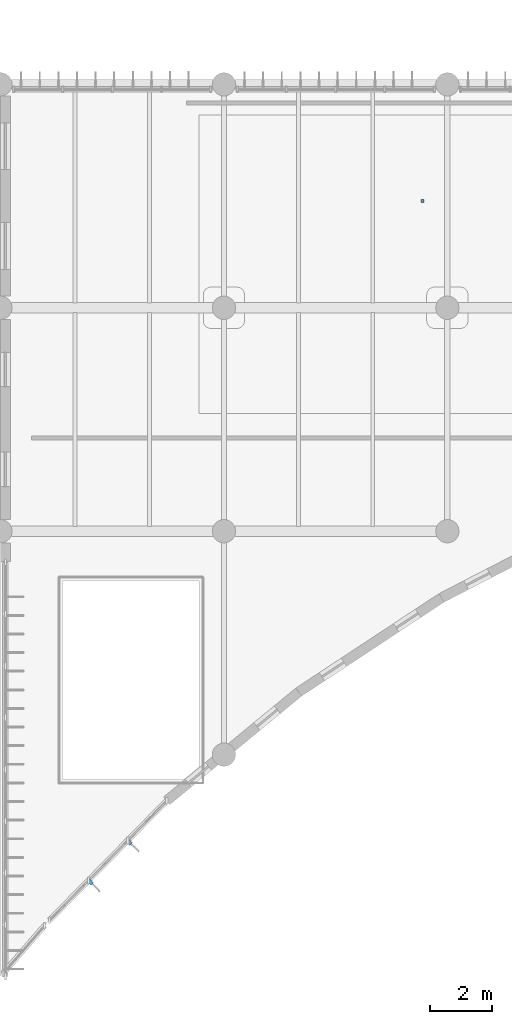
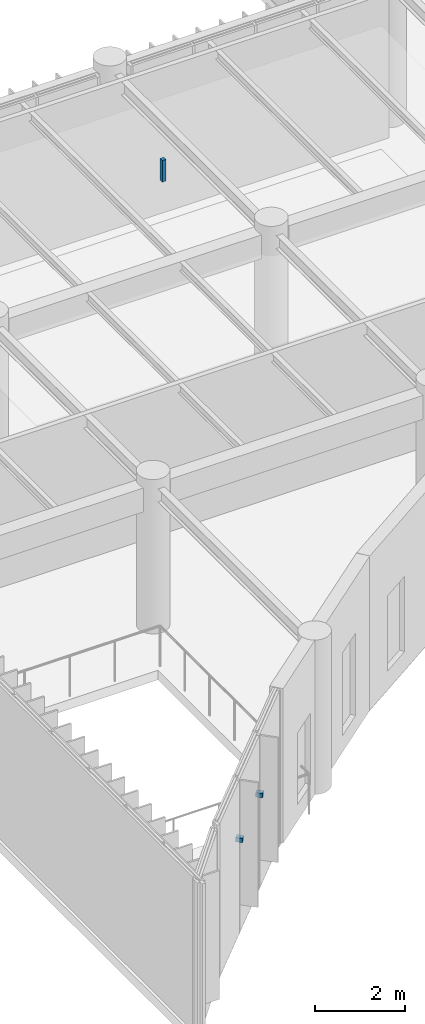
# One storey, part 50 of 122: 3 discrete accessories.
"""IFC4 building model written with IfcOpenShell, lengths in metres."""

import ifcopenshell
import ifcopenshell.guid

model = None  # the IFC model being written
_history = None  # IfcOwnerHistory: only IFC2X3 demands one
_inside = {}  # id of a spatial element -> (the spatial element, [elements in it])
_under = {}  # id of a project, library or spatial element -> (it, [spatial elements below it])
_declared = {}  # id of a project -> (the project, [libraries it declares])
_typed = {}  # id of a type object -> (the type object, [elements of that type])
_made_of = {}  # id of a material, layer set ... -> (it, [elements and type objects made of it])


def new_model(schema):
    """Start an empty IFC model of exactly this schema.

    Asked for "IFC4X3", IfcOpenShell would pick the latest addendum, in which some entities
    have other attributes; the version numbers below select the first issue.
    IFC2X3 requires an IfcOwnerHistory on every rooted entity: one is made here for all.
    """
    global model, _history
    if schema == "IFC4X3":
        model = ifcopenshell.file(schema_version=(4, 3, 0, 0))
    else:
        model = ifcopenshell.file(schema=schema)
    _inside.clear()
    _under.clear()
    _declared.clear()
    _typed.clear()
    _made_of.clear()
    _history = None
    if model.schema == "IFC2X3":
        org = make("IfcOrganization", Name="unknown")
        user = make(
            "IfcPersonAndOrganization",
            ThePerson=make("IfcPerson", FamilyName="unknown"),
            TheOrganization=org,
        )
        app = make(
            "IfcApplication",
            ApplicationDeveloper=org,
            Version="unknown",
            ApplicationFullName="unknown",
            ApplicationIdentifier="unknown",
        )
        _history = make(
            "IfcOwnerHistory",
            OwningUser=user,
            OwningApplication=app,
            ChangeAction="ADDED",
            CreationDate=0,
        )
    return model


def make(cls, **values):
    """One entity of the class cls with the attributes given. An attribute that is None is left unset."""
    return model.create_entity(
        cls, **{name: value for name, value in values.items() if value is not None}
    )


def rooted(cls, **values):
    """An entity with a GlobalId (a new one), such as an element, a storey or a relation."""
    return make(cls, GlobalId=ifcopenshell.guid.new(), OwnerHistory=_history, **values)


def si_unit(unit_type, name, prefix=None):
    """IfcSIUnit, for example si_unit("LENGTHUNIT", "METRE", prefix="MILLI")."""
    return make("IfcSIUnit", UnitType=unit_type, Prefix=prefix, Name=name)


def assignment(units):
    """IfcUnitAssignment: the units of a project."""
    return None if units is None else make("IfcUnitAssignment", Units=units)


def point(xyz):
    """IfcCartesianPoint."""
    return None if xyz is None else make("IfcCartesianPoint", Coordinates=xyz)


def direction(xyz):
    """IfcDirection."""
    return None if xyz is None else make("IfcDirection", DirectionRatios=xyz)


def frame(location, z_axis=None, x_axis=None):
    """IfcAxis2Placement3D, a coordinate frame: its origin and axes. An axis left out is left unset."""
    return make(
        "IfcAxis2Placement3D",
        Location=point(location),
        Axis=direction(z_axis),
        RefDirection=direction(x_axis),
    )


def frame_2d(location, x_axis=None):
    """IfcAxis2Placement2D, a coordinate frame in the plane: its origin and x axis."""
    return make(
        "IfcAxis2Placement2D", Location=point(location), RefDirection=direction(x_axis)
    )


def origin():
    """The frame at (0, 0, 0) with its axes left unset."""
    return frame((0.0, 0.0, 0.0))


def origin_2d():
    """The frame at (0, 0) in the plane with its x axis left unset."""
    return frame_2d((0.0, 0.0))


def place(relative_to, where):
    """IfcLocalPlacement: puts the frame where relative to a parent placement (None: the world)."""
    return make(
        "IfcLocalPlacement", PlacementRelTo=relative_to, RelativePlacement=where
    )


def context(
    kind, dimensions, precision=None, world=None, true_north=None, identifier=None
):
    """IfcGeometricRepresentationContext, for example the 3D "Model" context."""
    return make(
        "IfcGeometricRepresentationContext",
        ContextIdentifier=identifier,
        ContextType=kind,
        CoordinateSpaceDimension=dimensions,
        Precision=precision,
        WorldCoordinateSystem=world,
        TrueNorth=true_north,
    )


def subcontext(parent, identifier, kind, view, scale=None):
    """IfcGeometricRepresentationSubContext, for example "Body" below "Model"."""
    return make(
        "IfcGeometricRepresentationSubContext",
        ContextIdentifier=identifier,
        ContextType=kind,
        ParentContext=parent,
        TargetScale=scale,
        TargetView=view,
    )


def project(units=None, contexts=None):
    """IfcProject with its units and contexts."""
    return rooted(
        "IfcProject",
        Name="project",
        RepresentationContexts=contexts,
        UnitsInContext=assignment(units),
    )


def spatial(cls, under=None, at=None, **own):
    """A site, building, storey or space (cls), placed at a placement, below another one or the project."""
    s = rooted(cls, ObjectPlacement=at, **own)
    if under is not None:
        _under.setdefault(under.id(), (under, []))[1].append(s)
    return s


def profile(cls, at=None, kind="AREA", **sizes):
    """A parametric profile (cls). Its sizes go by their IFC names, for example OverallWidth=200.0."""
    return make(cls, ProfileType=kind, Position=at, **sizes)


def rectangle(**sizes):
    """IfcRectangleProfileDef."""
    return profile("IfcRectangleProfileDef", **sizes)


def extrude(swept, where, along, depth):
    """IfcExtrudedAreaSolid: the profile swept, set in the frame where, extruded along a direction by depth."""
    return make(
        "IfcExtrudedAreaSolid",
        SweptArea=swept,
        Position=where,
        ExtrudedDirection=direction(along),
        Depth=depth,
    )


def shape(context_of_items, identifier, shape_type, items):
    """IfcShapeRepresentation: the items that make up one representation, for example the "Body"."""
    return make(
        "IfcShapeRepresentation",
        ContextOfItems=context_of_items,
        RepresentationIdentifier=identifier,
        RepresentationType=shape_type,
        Items=items,
    )


def material(Name=None, Category=None):
    """IfcMaterial."""
    return make("IfcMaterial", Name=Name, Category=Category)


def made_of(thing, what):
    """Note that an element or type object is made of a material, layer set ...; save() writes the relation."""
    if what is not None:
        _made_of.setdefault(what.id(), (what, []))[1].append(thing)
    return thing


def type_object(cls, material=None, **own):
    """A type object (cls), such as IfcWallType, which elements share."""
    return made_of(rooted(cls, **own), material)


def element(
    cls,
    number,
    at=None,
    inside=None,
    cuts=None,
    type_object=None,
    material=None,
    context=None,
    identifier="Body",
    shape_type=None,
    held_by="IfcProductDefinitionShape",
    body=None,
    shapes=None,
    **own,
):
    """One element of the class cls, such as IfcWall. Its Tag is "e" and its number.

    at: its placement. inside: the storey or other place that contains it. cuts: it is an
    opening in that element (IfcRelVoidsElement). A single representation is given by context,
    identifier, shape_type and body (its items); several are given by shapes. held_by: the class
    of the entity that holds the representations. save() writes the other relations.
    """
    e = rooted(cls, Tag="e%d" % number, ObjectPlacement=at, **own)
    if body is not None:
        shapes = [shape(context, identifier, shape_type, body)]
    if shapes is not None:
        e.Representation = make(held_by, Representations=shapes)
    if inside is not None:
        _inside.setdefault(inside.id(), (inside, []))[1].append(e)
    if cuts is not None:
        rooted(
            "IfcRelVoidsElement", RelatingBuildingElement=cuts, RelatedOpeningElement=e
        )
    if type_object is not None:
        _typed.setdefault(type_object.id(), (type_object, []))[1].append(e)
    return made_of(e, material)


def aggregate(whole, parts):
    """IfcRelAggregates: a whole, such as a stair, and the parts it consists of."""
    return rooted("IfcRelAggregates", RelatingObject=whole, RelatedObjects=parts)


def save(model, path):
    """Write the relations noted so far, then the file.

    IfcRelAggregates (storeys below a building ...), IfcRelContainedInSpatialStructure (elements
    in a storey), IfcRelDefinesByType, IfcRelAssociatesMaterial and IfcRelDeclares: one each for
    every whole, place, type object, material and project.
    """
    for whole, parts in _under.values():
        aggregate(whole, parts)
    for where, things in _inside.values():
        rooted(
            "IfcRelContainedInSpatialStructure",
            RelatedElements=things,
            RelatingStructure=where,
        )
    for kind, things in _typed.values():
        rooted("IfcRelDefinesByType", RelatedObjects=things, RelatingType=kind)
    for what, things in _made_of.values():
        rooted("IfcRelAssociatesMaterial", RelatedObjects=things, RelatingMaterial=what)
    for by, libraries in _declared.values():
        rooted("IfcRelDeclares", RelatingContext=by, RelatedDefinitions=libraries)
    model.write(path)


model = new_model("IFC4")

# Units and contexts
model_context = context("Model", 3, precision=1e-05, world=origin(), true_north=direction((0.0, 1.0)))
body_context = subcontext(model_context, "Body", "Model", "MODEL_VIEW")
ifc_project = project(units=[si_unit("LENGTHUNIT", "METRE"), si_unit("AREAUNIT", "SQUARE_METRE"), si_unit("VOLUMEUNIT", "CUBIC_METRE"), si_unit("PLANEANGLEUNIT", "RADIAN"), si_unit("MASSUNIT", "GRAM", prefix="KILO")], contexts=[model_context])

# Site, building, storey
site_placement = place(None, origin())
site = spatial("IfcSite", under=ifc_project, at=site_placement, CompositionType="ELEMENT")
building_placement = place(site_placement, origin())
building = spatial("IfcBuilding", under=site, at=building_placement, Name="Tazoul Stagehouse", CompositionType="ELEMENT")
storey_placement = place(building_placement, frame((0.0, 0.0, 4.800048828125)))
storey = spatial("IfcBuildingStorey", under=building, at=storey_placement, Name="L01", CompositionType="ELEMENT", Elevation=4.800048828125)

# Discrete accessories
ifc_material = material(Name="Austenitic Stainless Steel EN 1.4401", Category="steel")
discrete_accessory_type_1 = type_object("IfcDiscreteAccessoryType", Name="Interior Acoustic Hanger Bracket", PredefinedType="BRACKET", material=ifc_material)
discrete_accessory_placement = place(storey_placement, frame((49.60009765625, 26.4375, 3.3798828125), z_axis=(0.0, 0.0, 1.0), x_axis=(1.0, 0.0, 0.0)))
element("IfcDiscreteAccessory", 1, at=discrete_accessory_placement, inside=storey, type_object=discrete_accessory_type_1, Name="L01 VIP Patron Salon and Interval Bar Ceiling Suspension Bracket", PredefinedType="BRACKET", context=body_context, shape_type="SweptSolid", body=[
    extrude(rectangle(XDim=0.10009765625, YDim=0.10009765625, at=origin_2d()), origin(), (0.0, 0.0, 1.0), 0.590087890625),
])
discrete_accessory_type_2 = type_object("IfcDiscreteAccessoryType", Name="Stainless Steel Louvre Support Cleat Bracket", PredefinedType="BRACKET", material=ifc_material)
for number, where, z_axis, x_axis, name in (
    (2, (38.899169921875, 4.4921875, 2.473388671875), (0.0, 0.0, 1.0), (0.700246698398, 0.713900946479, 0.0), "Cleat Bracket BRK-01 CW-V5-CRN-L01-C02-BRK01"),
    (3, (40.1572265625, 5.774658203125, 2.473388671875), (0.0, 0.0, 1.0), (0.700246698398, 0.713900946479, 0.0), "Cleat Bracket BRK-01 CW-V5-CRN-L01-C02-BRK02"),
):
    element("IfcDiscreteAccessory", number, at=place(storey_placement, frame(where, z_axis=z_axis, x_axis=x_axis)), inside=storey, type_object=discrete_accessory_type_2, Name=name, PredefinedType="BRACKET", context=body_context, shape_type="SweptSolid", body=[
        extrude(rectangle(XDim=0.1201171875, YDim=0.159912109375, at=origin_2d()), origin(), (0.0, 0.0, 1.0), 0.1201171875),
    ])

save(model, "model.ifc")
